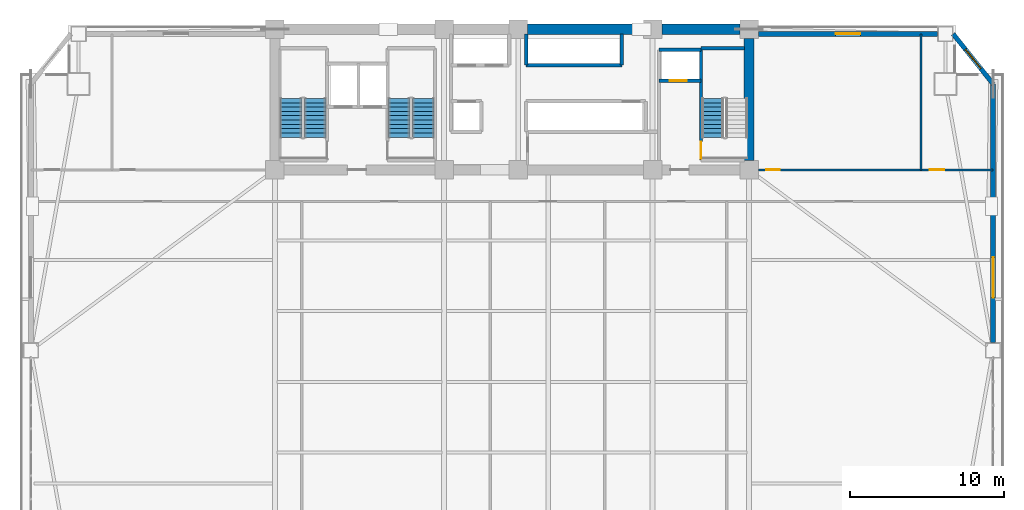
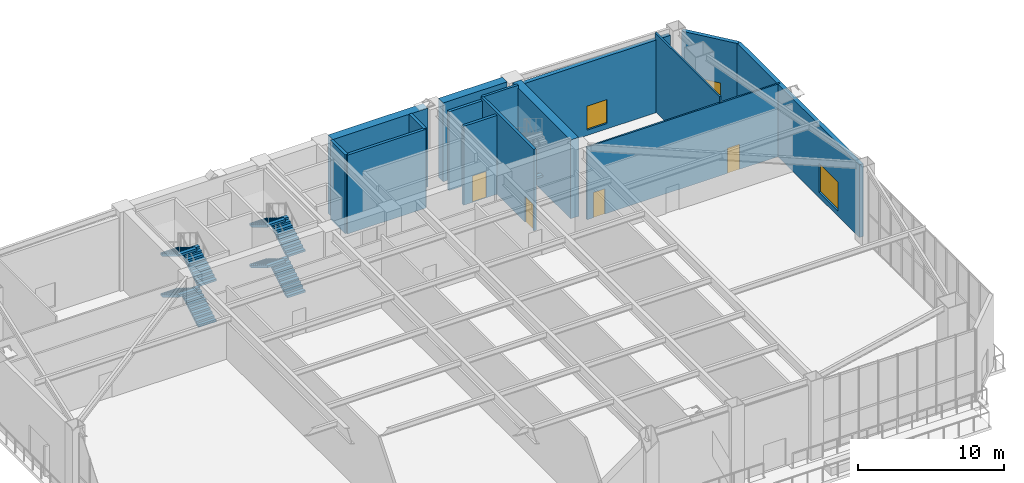
# One storey, part 16 of 22: 15 walls, 9 stair flights, 4 doors, 3 windows, 7 openings, 3 elements without a shape of their own.
"""IFC4 building model written with IfcOpenShell, lengths in metres."""

from ifc_helpers import new_model, si_unit, direction, frame, frame_2d, origin, place, context, subcontext, project, spatial, polyline, rectangle, outline, extrude, source, transform, mapped, material, layer, layer_set, type_object, element, fill, aggregate, save


model = new_model("IFC4")

# Units and contexts
model_context = context("Model", 3, precision=1e-05, world=origin(), true_north=direction((0.0, 1.0)))
body_context = subcontext(model_context, "Body", "Model", "MODEL_VIEW")
ifc_project = project(units=[si_unit("LENGTHUNIT", "METRE"), si_unit("AREAUNIT", "SQUARE_METRE"), si_unit("VOLUMEUNIT", "CUBIC_METRE"), si_unit("PLANEANGLEUNIT", "RADIAN"), si_unit("MASSUNIT", "GRAM", prefix="KILO")], contexts=[model_context])

# Site, building, storey
site_placement = place(None, origin())
site = spatial("IfcSite", under=ifc_project, at=site_placement, CompositionType="ELEMENT")
building_placement = place(site_placement, origin())
building = spatial("IfcBuilding", under=site, at=building_placement, Name="Giltprow Tower", CompositionType="ELEMENT")
storey_placement = place(building_placement, frame((0.0, 0.0, 72.800048828125)))
storey = spatial("IfcBuildingStorey", under=building, at=storey_placement, Name="L18", CompositionType="ELEMENT", Elevation=72.800048828125)

# Wall, opening, window
ifc_material_1 = material(Name="Precast concrete C40", Category="concrete")
ifc_layer_1 = layer(ifc_material_1, 0.300048828125, Name="Precast concrete C40")
ifc_layer_set_1 = layer_set([ifc_layer_1], Name="Precast concrete C40")
wall_type_1 = type_object("IfcWallType", Name="EW-NOTCH-CHAMFER-300", PredefinedType="SOLIDWALL", material=ifc_layer_set_1)
wall_1_placement = place(storey_placement, frame((66.361083984375, 43.00390625, 0.0), z_axis=(0.0, 0.0, 1.0), x_axis=(-0.624594762048, 0.780949027288, 0.0)))
wall_1 = element("IfcWall", 1, at=wall_1_placement, inside=storey, type_object=wall_type_1, Name="L18 Corner Notch Wall NE", PredefinedType="SOLIDWALL", context=body_context, shape_type="SweptSolid", body=[
    extrude(rectangle(XDim=4.156494140625, YDim=0.300048828125, at=frame_2d((2.078125, 0.0))), origin(), (0.0, 0.0, 1.0), 6.06005859375),
])
opening_1_placement = place(wall_1_placement, frame((1.278076171875, 0.0, 0.449951171875)))
opening_1 = element("IfcOpeningElement", 2, at=opening_1_placement, cuts=wall_1, Name="Opening WN17", PredefinedType="OPENING", context=body_context, shape_type="SweptSolid", body=[
    extrude(rectangle(XDim=1.60009765625, YDim=2.0, at=frame_2d((0.800048828125, 1.0))), frame((0.0, 0.159912109375, 0.0), z_axis=(0.0, -1.0, 0.0), x_axis=(1.0, 0.0, 0.0)), (0.0, 0.0, 1.0), 0.320068359375),
])
ifc_material_2 = material(Name="Insulated glass", Category="glass")
window_type_1 = type_object("IfcWindowType", Name="WN-COR-1600x2000", PartitioningType="SINGLE_PANEL", PredefinedType="WINDOW", material=ifc_material_2)
shared_shape_1 = source(origin(), body_context, "Body", "SweptSolid", [
    extrude(rectangle(XDim=1.60009765625, YDim=2.0, at=frame_2d((0.800048828125, 1.0))), frame((0.0, 0.030029296875, 0.0), z_axis=(0.0, -1.0, 0.0), x_axis=(1.0, 0.0, 0.0)), (0.0, 0.0, 1.0), 0.06005859375),
])
window_1_placement = place(opening_1_placement, origin())
window_1 = element("IfcWindow", 3, at=window_1_placement, inside=storey, type_object=window_type_1, Name="L18 Corner Notch Window NE", OverallHeight=2.0, OverallWidth=1.60009765625, PartitioningType="SINGLE_PANEL", PredefinedType="WINDOW", context=body_context, shape_type="MappedRepresentation", body=[
    mapped(shared_shape_1, transform((0.0, 0.0, 0.0), x_axis=(1.0, 0.0, 0.0), y_axis=(0.0, 1.0, 0.0), z_axis=(0.0, 0.0, 1.0), scale=1.0)),
])
fill(opening_1, window_1)

ifc_layer_2 = layer(ifc_material_1, 0.320068359375, Name="Precast concrete C40")
ifc_layer_set_2 = layer_set([ifc_layer_2], Name="Precast concrete C40")
wall_type_2 = type_object("IfcWallType", Name="EW-TOW-STONE-320", PredefinedType="SOLIDWALL", material=ifc_layer_set_2)
wall_2_placement = place(storey_placement, frame((66.361083984375, 26.2548828125, 0.0), z_axis=(0.0, 0.0, 1.0), x_axis=(0.0, 1.0, 0.0)))
wall_2 = element("IfcWall", 4, at=wall_2_placement, inside=storey, type_object=wall_type_2, Name="L18 E Wing Masonry Wall 2", PredefinedType="SOLIDWALL", context=body_context, shape_type="SweptSolid", body=[
    extrude(rectangle(XDim=16.7490234375, YDim=0.320068359375, at=frame_2d((8.37451171875, 0.0))), origin(), (0.0, 0.0, 1.0), 6.06005859375),
])
opening_2_placement = place(wall_2_placement, frame((2.9189453125, 0.0, 0.449951171875)))
opening_2 = element("IfcOpeningElement", 5, at=opening_2_placement, cuts=wall_2, Name="Opening WN19", PredefinedType="OPENING", context=body_context, shape_type="SweptSolid", body=[
    extrude(rectangle(XDim=2.60009765625, YDim=2.39990234375, at=frame_2d((1.300048828125, 1.199951171875))), frame((0.0, 0.169921875, 0.0), z_axis=(0.0, -1.0, 0.0), x_axis=(1.0, 0.0, 0.0)), (0.0, 0.0, 1.0), 0.340087890625),
])
window_type_2 = type_object("IfcWindowType", Name="WN-OBS-2600x2400", PartitioningType="DOUBLE_PANEL_VERTICAL", PredefinedType="WINDOW", material=ifc_material_2)
shared_shape_2 = source(origin(), body_context, "Body", "SweptSolid", [
    extrude(rectangle(XDim=2.60009765625, YDim=2.39990234375, at=frame_2d((1.300048828125, 1.199951171875))), frame((0.0, 0.030029296875, 0.0), z_axis=(0.0, -1.0, 0.0), x_axis=(1.0, 0.0, 0.0)), (0.0, 0.0, 1.0), 0.06005859375),
])
window_2_placement = place(opening_2_placement, origin())
window_2 = element("IfcWindow", 6, at=window_2_placement, inside=storey, type_object=window_type_2, Name="L18 E Wing Window 2-1", OverallHeight=2.39990234375, OverallWidth=2.60009765625, PartitioningType="SINGLE_PANEL", PredefinedType="WINDOW", context=body_context, shape_type="MappedRepresentation", body=[
    mapped(shared_shape_2, transform((0.0, 0.0, 0.0), x_axis=(1.0, 0.0, 0.0), y_axis=(0.0, 1.0, 0.0), z_axis=(0.0, 0.0, 1.0), scale=1.0)),
])
fill(opening_2, window_2)

wall_3_placement = place(storey_placement, frame((51.14990234375, 46.25, 0.0), z_axis=(0.0, 0.0, 1.0), x_axis=(1.0, 0.0, 0.0)))
wall_3 = element("IfcWall", 7, at=wall_3_placement, inside=storey, type_object=wall_type_2, Name="L18 North-East Wing Wall", PredefinedType="SOLIDWALL", context=body_context, shape_type="SweptSolid", body=[
    extrude(rectangle(XDim=11.614990234375, YDim=0.320068359375, at=frame_2d((5.8076171875, 0.0))), origin(), (0.0, 0.0, 1.0), 6.06005859375),
])
opening_3_placement = place(wall_3_placement, frame((5.008056640625, 0.0, 0.449951171875)))
opening_3 = element("IfcOpeningElement", 8, at=opening_3_placement, cuts=wall_3, Name="Opening WN17", PredefinedType="OPENING", context=body_context, shape_type="SweptSolid", body=[
    extrude(rectangle(XDim=1.60009765625, YDim=2.0, at=frame_2d((0.800048828125, 1.0))), frame((0.0, 0.169921875, 0.0), z_axis=(0.0, -1.0, 0.0), x_axis=(1.0, 0.0, 0.0)), (0.0, 0.0, 1.0), 0.340087890625),
])
window_3_placement = place(opening_3_placement, origin())
window_3 = element("IfcWindow", 9, at=window_3_placement, inside=storey, type_object=window_type_1, Name="L18 North-East Window", OverallHeight=2.0, OverallWidth=1.60009765625, PartitioningType="SINGLE_PANEL", PredefinedType="WINDOW", context=body_context, shape_type="MappedRepresentation", body=[
    mapped(shared_shape_1, transform((0.0, 0.0, 0.0), x_axis=(1.0, 0.0, 0.0), y_axis=(0.0, 1.0, 0.0), z_axis=(0.0, 0.0, 1.0), scale=1.0)),
])
fill(opening_3, window_3)

# Wall, opening, door
ifc_material_3 = material(Name="Concrete C40", Category="concrete")
ifc_layer_3 = layer(ifc_material_3, 0.219970703125, Name="Concrete C40")
ifc_layer_set_3 = layer_set([ifc_layer_3], Name="Concrete C40")
wall_type_3 = type_object("IfcWallType", Name="IW-SHAFT-220", PredefinedType="SOLIDWALL", material=ifc_layer_set_3)
wall_4_placement = place(storey_placement, frame((44.719970703125, 43.219970703125, 0.0), z_axis=(0.0, 0.0, 1.0), x_axis=(1.0, 0.0, 0.0)))
wall_4 = element("IfcWall", 10, at=wall_4_placement, inside=storey, type_object=wall_type_3, Name="L18 FFL2 Front Shaft Wall", PredefinedType="SOLIDWALL", context=body_context, shape_type="SweptSolid", body=[
    extrude(rectangle(XDim=2.719970703125, YDim=0.219970703125, at=frame_2d((1.35986328125, 0.0))), origin(), (0.0, 0.0, 1.0), 6.579833984375),
])
opening_4_placement = place(wall_4_placement, frame((0.699951171875, 0.0, 0.0)))
opening_4 = element("IfcOpeningElement", 11, at=opening_4_placement, cuts=wall_4, Name="Opening LD-11", PredefinedType="OPENING", context=body_context, shape_type="SweptSolid", body=[
    extrude(rectangle(XDim=1.10009765625, YDim=2.199951171875, at=frame_2d((0.550048828125, 1.10009765625))), frame((0.0, 0.119873046875, 0.0), z_axis=(0.0, -1.0, 0.0), x_axis=(1.0, 0.0, 0.0)), (0.0, 0.0, 1.0), 0.239990234375),
])
ifc_material_4 = material(Name="Stainless steel", Category="steel")
door_type_1 = type_object("IfcDoorType", Name="DR-LIFT-LD1100", OperationType="SLIDING_TO_LEFT", PredefinedType="DOOR", material=ifc_material_4)
shared_shape_3 = source(origin(), body_context, "Body", "SweptSolid", [
    extrude(rectangle(XDim=1.10009765625, YDim=2.199951171875, at=frame_2d((0.550048828125, 1.10009765625))), frame((0.0, 0.02490234375, 0.0), z_axis=(0.0, -1.0, 0.0), x_axis=(1.0, 0.0, 0.0)), (0.0, 0.0, 1.0), 0.050048828125),
])
door_1_placement = place(opening_4_placement, origin())
door_1 = element("IfcDoor", 12, at=door_1_placement, inside=storey, type_object=door_type_1, Name="L18 FFL2 Landing Door", OperationType="SLIDING_TO_LEFT", OverallHeight=2.199951171875, OverallWidth=1.10009765625, PredefinedType="DOOR", context=body_context, shape_type="MappedRepresentation", body=[
    mapped(shared_shape_3, transform((0.0, 0.0, 0.0), x_axis=(1.0, 0.0, 0.0), y_axis=(0.0, 1.0, 0.0), z_axis=(0.0, 0.0, 1.0), scale=1.0)),
])
fill(opening_4, door_1)

# Walls
wall_5_placement = place(storey_placement, frame((44.719970703125, 45.219970703125, 0.0), z_axis=(0.0, 0.0, 1.0), x_axis=(1.0, 0.0, 0.0)))
element("IfcWall", 13, at=wall_5_placement, inside=storey, type_object=wall_type_3, Name="L18 FFL2 Back Shaft Wall", PredefinedType="SOLIDWALL", context=body_context, shape_type="SweptSolid", body=[
    extrude(rectangle(XDim=2.719970703125, YDim=0.219970703125, at=frame_2d((1.35986328125, 0.0))), origin(), (0.0, 0.0, 1.0), 6.579833984375),
])
wall_6_placement = place(storey_placement, frame((36.1201171875, 44.219970703125, 0.0), z_axis=(0.0, 0.0, 1.0), x_axis=(1.0, 0.0, 0.0)))
element("IfcWall", 14, at=wall_6_placement, inside=storey, type_object=wall_type_3, Name="L18 North East Lift Shaft Front Wall", PredefinedType="SOLIDWALL", context=body_context, shape_type="SweptSolid", body=[
    extrude(rectangle(XDim=6.199951171875, YDim=0.219970703125, at=frame_2d((3.10009765625, 0.0))), origin(), (0.0, 0.0, 1.0), 6.579833984375),
])
for number, where, z_axis, x_axis, name in (
    (15, (36.1201171875, 44.219970703125, 0.0), (0.0, 0.0, 1.0), (0.0, 1.0, 0.0), "L18 North East Lift Shaft West Closure"),
    (16, (42.320068359375, 44.219970703125, 0.0), (0.0, 0.0, 1.0), (0.0, 1.0, 0.0), "L18 North East Lift Shaft East Closure"),
):
    element("IfcWall", number, at=place(storey_placement, frame(where, z_axis=z_axis, x_axis=x_axis)), inside=storey, type_object=wall_type_3, Name=name, PredefinedType="SOLIDWALL", context=body_context, shape_type="SweptSolid", body=[
        extrude(rectangle(XDim=2.025146484375, YDim=0.219970703125, at=frame_2d((1.0126953125, 0.0))), origin(), (0.0, 0.0, 1.0), 6.579833984375),
    ])

# Wall, opening, door
ifc_layer_4 = layer(ifc_material_3, 0.199951171875, Name="Concrete C40")
ifc_layer_set_4 = layer_set([ifc_layer_4], Name="Concrete C40")
wall_type_4 = type_object("IfcWallType", Name="IW-STAIR-200", PredefinedType="SOLIDWALL", material=ifc_layer_set_4)
wall_7_placement = place(storey_placement, frame((47.43994140625, 38.070068359375, 0.0), z_axis=(0.0, 0.0, 1.0), x_axis=(0.0, 1.0, 0.0)))
wall_7 = element("IfcWall", 17, at=wall_7_placement, inside=storey, type_object=wall_type_4, Name="L18 Stair ST-3 West Bearing Wall", PredefinedType="SOLIDWALL", context=body_context, shape_type="SweptSolid", body=[
    extrude(rectangle(XDim=7.25, YDim=0.199951171875, at=frame_2d((3.625, 0.0))), origin(), (0.0, 0.0, 1.0), 6.800048828125),
])
opening_5_placement = place(wall_7_placement, frame((0.110107421875, 0.0, 0.0)))
opening_5 = element("IfcOpeningElement", 18, at=opening_5_placement, cuts=wall_7, Name="Opening ID33", PredefinedType="OPENING", context=body_context, shape_type="SweptSolid", body=[
    extrude(rectangle(XDim=1.10009765625, YDim=2.14990234375, at=frame_2d((0.550048828125, 1.074951171875))), frame((0.0, 0.10986328125, 0.0), z_axis=(0.0, -1.0, 0.0), x_axis=(1.0, 0.0, 0.0)), (0.0, 0.0, 1.0), 0.219970703125),
])
ifc_material_5 = material(Name="Steel fire leaf", Category="steel")
door_type_2 = type_object("IfcDoorType", Name="DR-STAIR-1100", OperationType="SINGLE_SWING_LEFT", PredefinedType="DOOR", material=ifc_material_5)
shared_shape_4 = source(origin(), body_context, "Body", "SweptSolid", [
    extrude(rectangle(XDim=1.10009765625, YDim=2.14990234375, at=frame_2d((0.550048828125, 1.074951171875))), frame((0.0, 0.02490234375, 0.0), z_axis=(0.0, -1.0, 0.0), x_axis=(1.0, 0.0, 0.0)), (0.0, 0.0, 1.0), 0.050048828125),
])
door_2_placement = place(opening_5_placement, origin())
door_2 = element("IfcDoor", 19, at=door_2_placement, inside=storey, type_object=door_type_2, Name="L18 Stair ST-3 Fire Door", OperationType="SINGLE_SWING_RIGHT", OverallHeight=2.14990234375, OverallWidth=1.10009765625, PredefinedType="DOOR", context=body_context, shape_type="MappedRepresentation", body=[
    mapped(shared_shape_4, transform((0.0, 0.0, 0.0), x_axis=(1.0, 0.0, 0.0), y_axis=(0.0, 1.0, 0.0), z_axis=(0.0, 0.0, 1.0), scale=1.0)),
])
fill(opening_5, door_2)

# Wall
wall_8_placement = place(storey_placement, frame((47.43994140625, 45.320068359375, 0.0), z_axis=(0.0, 0.0, 1.0), x_axis=(1.0, 0.0, 0.0)))
element("IfcWall", 20, at=wall_8_placement, inside=storey, type_object=wall_type_4, Name="L18 Stair ST-3 North Bearing Wall", PredefinedType="SOLIDWALL", context=body_context, shape_type="SweptSolid", body=[
    extrude(rectangle(XDim=2.80517578125, YDim=0.199951171875, at=frame_2d((1.402587890625, 0.0))), origin(), (0.0, 0.0, 1.0), 6.800048828125),
])

# Wall, openings, doors
ifc_material_6 = material(Name="Concrete C30", Category="concrete")
ifc_layer_5 = layer(ifc_material_6, 0.1298828125, Name="Concrete C30")
ifc_layer_set_5 = layer_set([ifc_layer_5], Name="Concrete C30")
wall_type_5 = type_object("IfcWallType", Name="IW-WET-130", PredefinedType="PARTITIONING", material=ifc_layer_set_5)
wall_9_placement = place(storey_placement, frame((51.14990234375, 37.449951171875, 0.0), z_axis=(0.0, 0.0, 1.0), x_axis=(1.0, 0.0, 0.0)))
wall_9 = element("IfcWall", 21, at=wall_9_placement, inside=storey, type_object=wall_type_5, Name="L18 NE Wing South Wall", PredefinedType="PARTITIONING", context=body_context, shape_type="SweptSolid", body=[
    extrude(rectangle(XDim=15.211181640625, YDim=0.1298828125, at=frame_2d((7.60546875, 0.0))), origin(), (0.0, 0.0, 1.0), 6.06494140625),
])
opening_6_placement = place(wall_9_placement, frame((0.5, 0.0, 0.0)))
opening_6 = element("IfcOpeningElement", 22, at=opening_6_placement, cuts=wall_9, Name="Opening ID15", PredefinedType="OPENING", context=body_context, shape_type="SweptSolid", body=[
    extrude(rectangle(XDim=0.89990234375, YDim=2.10009765625, at=frame_2d((0.449951171875, 1.050048828125))), frame((0.0, 0.074951171875, 0.0), z_axis=(0.0, -1.0, 0.0), x_axis=(1.0, 0.0, 0.0)), (0.0, 0.0, 1.0), 0.14990234375),
])
opening_7_placement = place(wall_9_placement, frame((11.087890625, 0.0, 0.0)))
opening_7 = element("IfcOpeningElement", 23, at=opening_7_placement, cuts=wall_9, Name="Opening ID11", PredefinedType="OPENING", context=body_context, shape_type="SweptSolid", body=[
    extrude(rectangle(XDim=0.949951171875, YDim=2.10009765625, at=frame_2d((0.47509765625, 1.050048828125))), frame((0.0, 0.074951171875, 0.0), z_axis=(0.0, -1.0, 0.0), x_axis=(1.0, 0.0, 0.0)), (0.0, 0.0, 1.0), 0.14990234375),
])
ifc_material_7 = material(Name="Engineered timber", Category="wood")
door_type_3 = type_object("IfcDoorType", Name="DR-WC-900", OperationType="SINGLE_SWING_LEFT", PredefinedType="DOOR", material=ifc_material_7)
shared_shape_5 = source(origin(), body_context, "Body", "SweptSolid", [
    extrude(rectangle(XDim=0.89990234375, YDim=2.10009765625, at=frame_2d((0.449951171875, 1.050048828125))), frame((0.0, 0.02490234375, 0.0), z_axis=(0.0, -1.0, 0.0), x_axis=(1.0, 0.0, 0.0)), (0.0, 0.0, 1.0), 0.050048828125),
])
door_3_placement = place(opening_6_placement, origin())
door_3 = element("IfcDoor", 24, at=door_3_placement, inside=storey, type_object=door_type_3, Name="L18 East Wing Washroom Door", OperationType="SINGLE_SWING_RIGHT", OverallHeight=2.10009765625, OverallWidth=0.89990234375, PredefinedType="DOOR", context=body_context, shape_type="MappedRepresentation", body=[
    mapped(shared_shape_5, transform((0.0, 0.0, 0.0), x_axis=(1.0, 0.0, 0.0), y_axis=(0.0, 1.0, 0.0), z_axis=(0.0, 0.0, 1.0), scale=1.0)),
])
fill(opening_6, door_3)
door_type_4 = type_object("IfcDoorType", Name="DR-ROOM-950", OperationType="SINGLE_SWING_RIGHT", PredefinedType="DOOR", material=ifc_material_7)
shared_shape_6 = source(origin(), body_context, "Body", "SweptSolid", [
    extrude(rectangle(XDim=0.949951171875, YDim=2.10009765625, at=frame_2d((0.47509765625, 1.050048828125))), frame((0.0, 0.02490234375, 0.0), z_axis=(0.0, -1.0, 0.0), x_axis=(1.0, 0.0, 0.0)), (0.0, 0.0, 1.0), 0.050048828125),
])
door_4_placement = place(opening_7_placement, origin())
door_4 = element("IfcDoor", 25, at=door_4_placement, inside=storey, type_object=door_type_4, Name="L18 Conservatory Lounge Study Door", OperationType="SINGLE_SWING_RIGHT", OverallHeight=2.10009765625, OverallWidth=0.949951171875, PredefinedType="DOOR", context=body_context, shape_type="MappedRepresentation", body=[
    mapped(shared_shape_6, transform((0.0, 0.0, 0.0), x_axis=(1.0, 0.0, 0.0), y_axis=(0.0, 1.0, 0.0), z_axis=(0.0, 0.0, 1.0), scale=1.0)),
])
fill(opening_7, door_4)

# Walls
wall_10_placement = place(storey_placement, frame((61.68798828125, 37.449951171875, 0.0), z_axis=(0.0, 0.0, 1.0), x_axis=(0.0, 1.0, 0.0)))
element("IfcWall", 26, at=wall_10_placement, inside=storey, type_object=wall_type_5, Name="L18 NE Wing Divider", PredefinedType="PARTITIONING", context=body_context, shape_type="SweptSolid", body=[
    extrude(rectangle(XDim=8.800048828125, YDim=0.1298828125, at=frame_2d((4.39990234375, 0.0))), origin(), (0.0, 0.0, 1.0), 6.579833984375),
])
ifc_material_8 = material(Name="Concrete C60", Category="concrete")
ifc_layer_6 = layer(ifc_material_8, 0.64990234375, Name="Concrete C60")
ifc_layer_set_6 = layer_set([ifc_layer_6], Name="Concrete C60")
wall_type_6 = type_object("IfcWallType", Name="SW-EXT-650-C60", PredefinedType="SHEAR", material=ifc_layer_set_6)
wall_11_placement = place(storey_placement, frame((36.199951171875, 46.550048828125, 0.0), z_axis=(0.0, 0.0, 1.0), x_axis=(1.0, 0.0, 0.0)))
element("IfcWall", 27, at=wall_11_placement, inside=storey, type_object=wall_type_6, Name="L18 North Rear Core Shear Wall 3", PredefinedType="SHEAR", context=body_context, shape_type="SweptSolid", body=[
    extrude(rectangle(XDim=7.5, YDim=0.64990234375, at=frame_2d((3.75, 0.0))), origin(), (0.0, 0.0, 1.0), 6.579833984375),
])
wall_12_placement = place(storey_placement, frame((44.89990234375, 46.550048828125, 0.0), z_axis=(0.0, 0.0, 1.0), x_axis=(1.0, 0.0, 0.0)))
element("IfcWall", 28, at=wall_12_placement, inside=storey, type_object=wall_type_6, Name="L18 North Rear Core Shear Wall 4", PredefinedType="SHEAR", context=body_context, shape_type="SweptSolid", body=[
    extrude(rectangle(XDim=5.050048828125, YDim=0.64990234375, at=frame_2d((2.52490234375, 0.0))), origin(), (0.0, 0.0, 1.0), 6.579833984375),
])
ifc_layer_7 = layer(ifc_material_8, 0.64990234375, Name="Concrete C60")
ifc_layer_set_7 = layer_set([ifc_layer_7], Name="Concrete C60")
wall_type_7 = type_object("IfcWallType", Name="SW-INT-650-C60", PredefinedType="SHEAR", material=ifc_layer_set_7)
wall_13_placement = place(storey_placement, frame((50.550048828125, 38.050048828125, 0.0), z_axis=(0.0, 0.0, 1.0), x_axis=(0.0, 1.0, 0.0)))
element("IfcWall", 29, at=wall_13_placement, inside=storey, type_object=wall_type_7, Name="L18 E Rear Core Shear Wall", PredefinedType="SHEAR", context=body_context, shape_type="SweptSolid", body=[
    extrude(rectangle(XDim=7.89990234375, YDim=0.64990234375, at=frame_2d((3.949951171875, 0.0))), origin(), (0.0, 0.0, 1.0), 6.579833984375),
])

# Stair, stair flights
stair_type_1 = type_object("IfcStairType", Name="STR-ST-1", PredefinedType="HALF_TURN_STAIR", material=ifc_material_3)
stair_1_placement = place(storey_placement, origin())
stair_1 = element("IfcStair", 30, at=stair_1_placement, inside=storey, type_object=stair_type_1, Name="L18 Core Exit Stair ST-1", PredefinedType="HALF_TURN_STAIR")
stair_flight_type_1 = type_object("IfcStairFlightType", Name="SFL-ST-1", PredefinedType="STRAIGHT", material=ifc_material_3)
stair_flight_1_placement = place(storey_placement, frame((22.4599609375, 39.550048828125, 0.0), z_axis=(0.0, 0.0, 1.0), x_axis=(0.0, 1.0, 0.0)))
stair_flight_1 = element("IfcStairFlight", 31, at=stair_flight_1_placement, type_object=stair_flight_type_1, Name="ST-1 flight 1", NumberOfRisers=10, NumberOfTreads=9, PredefinedType="STRAIGHT", RiserHeight=0.17, TreadLength=0.28, context=body_context, shape_type="SweptSolid", body=[
    extrude(outline(polyline([(0.0, 0.0), (0.0, 0.169921875), (0.280029296875, 0.169921875), (0.280029296875, 0.340087890625), (0.56005859375, 0.340087890625), (0.56005859375, 0.510009765625), (0.840087890625, 0.510009765625), (0.840087890625, 0.679931640625), (1.1201171875, 0.679931640625), (1.1201171875, 0.85009765625), (1.39990234375, 0.85009765625), (1.39990234375, 1.02001953125), (1.679931640625, 1.02001953125), (1.679931640625, 1.18994140625), (1.9599609375, 1.18994140625), (1.9599609375, 1.360107421875), (2.239990234375, 1.360107421875), (2.239990234375, 1.530029296875), (2.52001953125, 1.530029296875), (2.52001953125, 1.699951171875), (2.52001953125, 1.354736328125), (0.288818359375, 0.0), (0.0, 0.0)])), frame((0.0, 0.699951171875, 0.0), z_axis=(0.0, -1.0, 0.0), x_axis=(1.0, 0.0, 0.0)), (0.0, 0.0, 1.0), 1.39990234375),
])
stair_flight_2_placement = place(storey_placement, frame((20.89990234375, 42.070068359375, 1.699951171875), z_axis=(0.0, 0.0, 1.0), x_axis=(0.0, -1.0, 0.0)))
stair_flight_2 = element("IfcStairFlight", 32, at=stair_flight_2_placement, type_object=stair_flight_type_1, Name="ST-1 flight 2", NumberOfRisers=10, NumberOfTreads=9, PredefinedType="STRAIGHT", RiserHeight=0.17, TreadLength=0.28, context=body_context, shape_type="SweptSolid", body=[
    extrude(outline(polyline([(0.0, 0.0), (0.0, 0.169921875), (0.280029296875, 0.169921875), (0.280029296875, 0.340087890625), (0.56005859375, 0.340087890625), (0.56005859375, 0.510009765625), (0.840087890625, 0.510009765625), (0.840087890625, 0.679931640625), (1.1201171875, 0.679931640625), (1.1201171875, 0.85009765625), (1.39990234375, 0.85009765625), (1.39990234375, 1.02001953125), (1.679931640625, 1.02001953125), (1.679931640625, 1.18994140625), (1.9599609375, 1.18994140625), (1.9599609375, 1.360107421875), (2.239990234375, 1.360107421875), (2.239990234375, 1.530029296875), (2.52001953125, 1.530029296875), (2.52001953125, 1.699951171875), (2.52001953125, 1.354736328125), (0.288818359375, 0.0), (0.0, 0.0)])), frame((0.0, 0.699951171875, 0.0), z_axis=(0.0, -1.0, 0.0), x_axis=(1.0, 0.0, 0.0)), (0.0, 0.0, 1.0), 1.39990234375),
])
stair_flight_3_placement = place(storey_placement, frame((22.4599609375, 39.550048828125, 3.39990234375), z_axis=(0.0, 0.0, 1.0), x_axis=(0.0, 1.0, 0.0)))
stair_flight_3 = element("IfcStairFlight", 33, at=stair_flight_3_placement, type_object=stair_flight_type_1, Name="ST-1 flight 3", NumberOfRisers=10, NumberOfTreads=9, PredefinedType="STRAIGHT", RiserHeight=0.17, TreadLength=0.28, context=body_context, shape_type="SweptSolid", body=[
    extrude(outline(polyline([(0.0, 0.0), (0.0, 0.169921875), (0.280029296875, 0.169921875), (0.280029296875, 0.340087890625), (0.56005859375, 0.340087890625), (0.56005859375, 0.510009765625), (0.840087890625, 0.510009765625), (0.840087890625, 0.679931640625), (1.1201171875, 0.679931640625), (1.1201171875, 0.85009765625), (1.39990234375, 0.85009765625), (1.39990234375, 1.02001953125), (1.679931640625, 1.02001953125), (1.679931640625, 1.18994140625), (1.9599609375, 1.18994140625), (1.9599609375, 1.360107421875), (2.239990234375, 1.360107421875), (2.239990234375, 1.530029296875), (2.52001953125, 1.530029296875), (2.52001953125, 1.699951171875), (2.52001953125, 1.354736328125), (0.288818359375, 0.0), (0.0, 0.0)])), frame((0.0, 0.699951171875, 0.0), z_axis=(0.0, -1.0, 0.0), x_axis=(1.0, 0.0, 0.0)), (0.0, 0.0, 1.0), 1.39990234375),
])
stair_flight_4_placement = place(storey_placement, frame((20.89990234375, 42.070068359375, 5.099853515625), z_axis=(0.0, 0.0, 1.0), x_axis=(0.0, -1.0, 0.0)))
stair_flight_4 = element("IfcStairFlight", 34, at=stair_flight_4_placement, type_object=stair_flight_type_1, Name="ST-1 flight 4", NumberOfRisers=10, NumberOfTreads=9, PredefinedType="STRAIGHT", RiserHeight=0.17, TreadLength=0.28, context=body_context, shape_type="SweptSolid", body=[
    extrude(outline(polyline([(0.0, 0.0), (0.0, 0.169921875), (0.280029296875, 0.169921875), (0.280029296875, 0.340087890625), (0.56005859375, 0.340087890625), (0.56005859375, 0.510009765625), (0.840087890625, 0.510009765625), (0.840087890625, 0.679931640625), (1.1201171875, 0.679931640625), (1.1201171875, 0.85009765625), (1.39990234375, 0.85009765625), (1.39990234375, 1.02001953125), (1.679931640625, 1.02001953125), (1.679931640625, 1.18994140625), (1.9599609375, 1.18994140625), (1.9599609375, 1.360107421875), (2.239990234375, 1.360107421875), (2.239990234375, 1.530029296875), (2.52001953125, 1.530029296875), (2.52001953125, 1.699951171875), (2.52001953125, 1.354736328125), (0.288818359375, 0.0), (0.0, 0.0)])), frame((0.0, 0.699951171875, 0.0), z_axis=(0.0, -1.0, 0.0), x_axis=(1.0, 0.0, 0.0)), (0.0, 0.0, 1.0), 1.39990234375),
])
aggregate(stair_1, [stair_flight_1, stair_flight_2, stair_flight_3, stair_flight_4])

stair_type_2 = type_object("IfcStairType", Name="STR-ST-2", PredefinedType="HALF_TURN_STAIR", material=ifc_material_3)
stair_2_placement = place(storey_placement, origin())
stair_2 = element("IfcStair", 35, at=stair_2_placement, inside=storey, type_object=stair_type_2, Name="L18 Core Exit Stair ST-2", PredefinedType="HALF_TURN_STAIR")
stair_flight_type_2 = type_object("IfcStairFlightType", Name="SFL-ST-2", PredefinedType="STRAIGHT", material=ifc_material_3)
stair_flight_5_placement = place(storey_placement, frame((29.4599609375, 39.550048828125, 0.0), z_axis=(0.0, 0.0, 1.0), x_axis=(0.0, 1.0, 0.0)))
stair_flight_5 = element("IfcStairFlight", 36, at=stair_flight_5_placement, type_object=stair_flight_type_2, Name="ST-2 flight 1", NumberOfRisers=10, NumberOfTreads=9, PredefinedType="STRAIGHT", RiserHeight=0.17, TreadLength=0.28, context=body_context, shape_type="SweptSolid", body=[
    extrude(outline(polyline([(0.0, 0.0), (0.0, 0.169921875), (0.280029296875, 0.169921875), (0.280029296875, 0.340087890625), (0.56005859375, 0.340087890625), (0.56005859375, 0.510009765625), (0.840087890625, 0.510009765625), (0.840087890625, 0.679931640625), (1.1201171875, 0.679931640625), (1.1201171875, 0.85009765625), (1.39990234375, 0.85009765625), (1.39990234375, 1.02001953125), (1.679931640625, 1.02001953125), (1.679931640625, 1.18994140625), (1.9599609375, 1.18994140625), (1.9599609375, 1.360107421875), (2.239990234375, 1.360107421875), (2.239990234375, 1.530029296875), (2.52001953125, 1.530029296875), (2.52001953125, 1.699951171875), (2.52001953125, 1.354736328125), (0.288818359375, 0.0), (0.0, 0.0)])), frame((0.0, 0.699951171875, 0.0), z_axis=(0.0, -1.0, 0.0), x_axis=(1.0, 0.0, 0.0)), (0.0, 0.0, 1.0), 1.39990234375),
])
stair_flight_6_placement = place(storey_placement, frame((27.89990234375, 42.070068359375, 1.699951171875), z_axis=(0.0, 0.0, 1.0), x_axis=(0.0, -1.0, 0.0)))
stair_flight_6 = element("IfcStairFlight", 37, at=stair_flight_6_placement, type_object=stair_flight_type_2, Name="ST-2 flight 2", NumberOfRisers=10, NumberOfTreads=9, PredefinedType="STRAIGHT", RiserHeight=0.17, TreadLength=0.28, context=body_context, shape_type="SweptSolid", body=[
    extrude(outline(polyline([(0.0, 0.0), (0.0, 0.169921875), (0.280029296875, 0.169921875), (0.280029296875, 0.340087890625), (0.56005859375, 0.340087890625), (0.56005859375, 0.510009765625), (0.840087890625, 0.510009765625), (0.840087890625, 0.679931640625), (1.1201171875, 0.679931640625), (1.1201171875, 0.85009765625), (1.39990234375, 0.85009765625), (1.39990234375, 1.02001953125), (1.679931640625, 1.02001953125), (1.679931640625, 1.18994140625), (1.9599609375, 1.18994140625), (1.9599609375, 1.360107421875), (2.239990234375, 1.360107421875), (2.239990234375, 1.530029296875), (2.52001953125, 1.530029296875), (2.52001953125, 1.699951171875), (2.52001953125, 1.354736328125), (0.288818359375, 0.0), (0.0, 0.0)])), frame((0.0, 0.699951171875, 0.0), z_axis=(0.0, -1.0, 0.0), x_axis=(1.0, 0.0, 0.0)), (0.0, 0.0, 1.0), 1.39990234375),
])
stair_flight_7_placement = place(storey_placement, frame((29.4599609375, 39.550048828125, 3.39990234375), z_axis=(0.0, 0.0, 1.0), x_axis=(0.0, 1.0, 0.0)))
stair_flight_7 = element("IfcStairFlight", 38, at=stair_flight_7_placement, type_object=stair_flight_type_2, Name="ST-2 flight 3", NumberOfRisers=10, NumberOfTreads=9, PredefinedType="STRAIGHT", RiserHeight=0.17, TreadLength=0.28, context=body_context, shape_type="SweptSolid", body=[
    extrude(outline(polyline([(0.0, 0.0), (0.0, 0.169921875), (0.280029296875, 0.169921875), (0.280029296875, 0.340087890625), (0.56005859375, 0.340087890625), (0.56005859375, 0.510009765625), (0.840087890625, 0.510009765625), (0.840087890625, 0.679931640625), (1.1201171875, 0.679931640625), (1.1201171875, 0.85009765625), (1.39990234375, 0.85009765625), (1.39990234375, 1.02001953125), (1.679931640625, 1.02001953125), (1.679931640625, 1.18994140625), (1.9599609375, 1.18994140625), (1.9599609375, 1.360107421875), (2.239990234375, 1.360107421875), (2.239990234375, 1.530029296875), (2.52001953125, 1.530029296875), (2.52001953125, 1.699951171875), (2.52001953125, 1.354736328125), (0.288818359375, 0.0), (0.0, 0.0)])), frame((0.0, 0.699951171875, 0.0), z_axis=(0.0, -1.0, 0.0), x_axis=(1.0, 0.0, 0.0)), (0.0, 0.0, 1.0), 1.39990234375),
])
stair_flight_8_placement = place(storey_placement, frame((27.89990234375, 42.070068359375, 5.099853515625), z_axis=(0.0, 0.0, 1.0), x_axis=(0.0, -1.0, 0.0)))
stair_flight_8 = element("IfcStairFlight", 39, at=stair_flight_8_placement, type_object=stair_flight_type_2, Name="ST-2 flight 4", NumberOfRisers=10, NumberOfTreads=9, PredefinedType="STRAIGHT", RiserHeight=0.17, TreadLength=0.28, context=body_context, shape_type="SweptSolid", body=[
    extrude(outline(polyline([(0.0, 0.0), (0.0, 0.169921875), (0.280029296875, 0.169921875), (0.280029296875, 0.340087890625), (0.56005859375, 0.340087890625), (0.56005859375, 0.510009765625), (0.840087890625, 0.510009765625), (0.840087890625, 0.679931640625), (1.1201171875, 0.679931640625), (1.1201171875, 0.85009765625), (1.39990234375, 0.85009765625), (1.39990234375, 1.02001953125), (1.679931640625, 1.02001953125), (1.679931640625, 1.18994140625), (1.9599609375, 1.18994140625), (1.9599609375, 1.360107421875), (2.239990234375, 1.360107421875), (2.239990234375, 1.530029296875), (2.52001953125, 1.530029296875), (2.52001953125, 1.699951171875), (2.52001953125, 1.354736328125), (0.288818359375, 0.0), (0.0, 0.0)])), frame((0.0, 0.699951171875, 0.0), z_axis=(0.0, -1.0, 0.0), x_axis=(1.0, 0.0, 0.0)), (0.0, 0.0, 1.0), 1.39990234375),
])
aggregate(stair_2, [stair_flight_5, stair_flight_6, stair_flight_7, stair_flight_8])

# Stair, stair flight
stair_type_3 = type_object("IfcStairType", Name="STR-ST-3", PredefinedType="HALF_TURN_STAIR", material=ifc_material_3)
stair_3_placement = place(storey_placement, origin())
stair_3 = element("IfcStair", 40, at=stair_3_placement, inside=storey, type_object=stair_type_3, Name="L18 Core Exit Stair ST-3", PredefinedType="HALF_TURN_STAIR")
stair_flight_type_3 = type_object("IfcStairFlightType", Name="SFL-ST-3", PredefinedType="STRAIGHT", material=ifc_material_3)
stair_flight_9_placement = place(storey_placement, frame((48.199951171875, 42.070068359375, 1.699951171875), z_axis=(0.0, 0.0, 1.0), x_axis=(0.0, -1.0, 0.0)))
stair_flight_9 = element("IfcStairFlight", 41, at=stair_flight_9_placement, type_object=stair_flight_type_3, Name="ST-3 flight 2", NumberOfRisers=10, NumberOfTreads=9, PredefinedType="STRAIGHT", RiserHeight=0.17, TreadLength=0.28, context=body_context, shape_type="SweptSolid", body=[
    extrude(outline(polyline([(0.0, 0.0), (0.0, 0.169921875), (0.280029296875, 0.169921875), (0.280029296875, 0.340087890625), (0.56005859375, 0.340087890625), (0.56005859375, 0.510009765625), (0.840087890625, 0.510009765625), (0.840087890625, 0.679931640625), (1.1201171875, 0.679931640625), (1.1201171875, 0.85009765625), (1.39990234375, 0.85009765625), (1.39990234375, 1.02001953125), (1.679931640625, 1.02001953125), (1.679931640625, 1.18994140625), (1.9599609375, 1.18994140625), (1.9599609375, 1.360107421875), (2.239990234375, 1.360107421875), (2.239990234375, 1.530029296875), (2.52001953125, 1.530029296875), (2.52001953125, 1.699951171875), (2.52001953125, 1.354736328125), (0.288818359375, 0.0), (0.0, 0.0)])), frame((0.0, 0.699951171875, 0.0), z_axis=(0.0, -1.0, 0.0), x_axis=(1.0, 0.0, 0.0)), (0.0, 0.0, 1.0), 1.39990234375),
])
aggregate(stair_3, [stair_flight_9])

save(model, "model.ifc")
